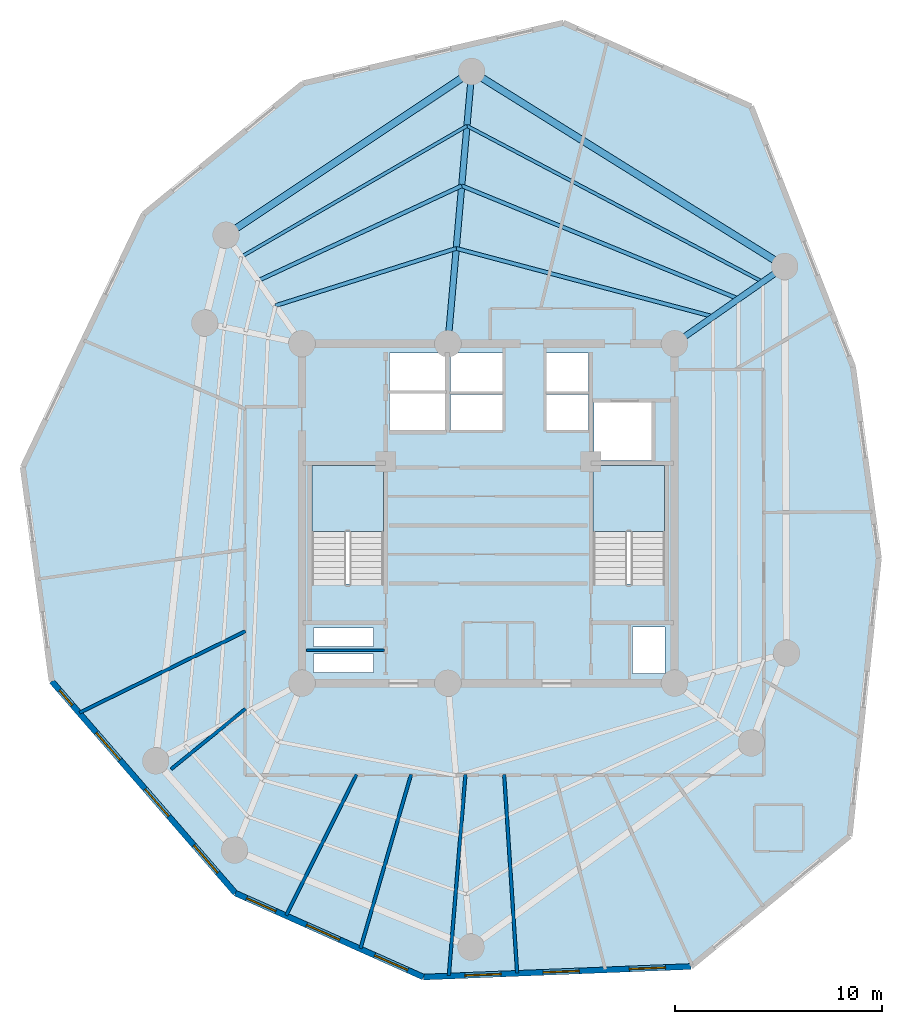
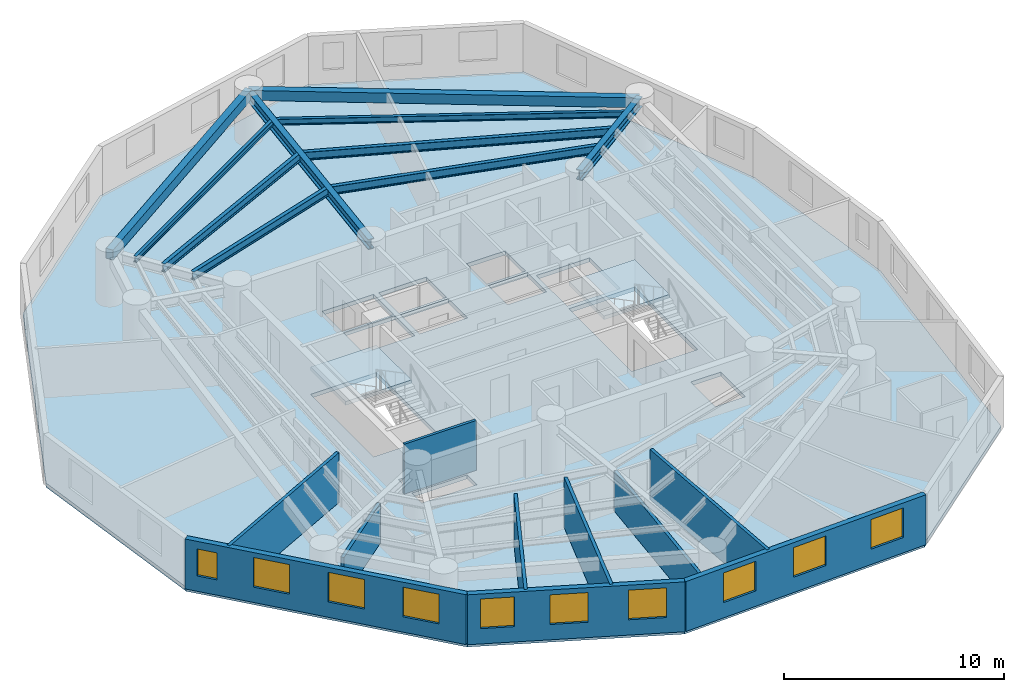
# One storey, part 2 of 7: 10 beams, 10 walls, 10 windows, 3 slabs, 10 openings, 2 elements without a shape of their own.
"""IFC4 building model written with IfcOpenShell, lengths in metres."""

from ifc_helpers import new_model, si_unit, direction, frame, frame_2d, origin, origin_with_axes, origin_2d, place, context, subcontext, project, spatial, polyline, rectangle, i_section, outline, extrude, source, transform, mapped, material, layer, layer_set, material_profile, profile_set, type_object, element, fill, aggregate, save


model = new_model("IFC4")

# Units and contexts
model_context = context("Model", 3, precision=1e-05, world=origin(), true_north=direction((0.0, 1.0)))
body_context = subcontext(model_context, "Body", "Model", "MODEL_VIEW")
ifc_project = project(units=[si_unit("LENGTHUNIT", "METRE"), si_unit("AREAUNIT", "SQUARE_METRE"), si_unit("VOLUMEUNIT", "CUBIC_METRE"), si_unit("PLANEANGLEUNIT", "RADIAN"), si_unit("MASSUNIT", "GRAM", prefix="KILO")], contexts=[model_context])

# Site, building, storey
site_placement = place(None, origin())
site = spatial("IfcSite", under=ifc_project, at=site_placement, CompositionType="ELEMENT")
building_placement = place(site_placement, origin())
building = spatial("IfcBuilding", under=site, at=building_placement, Name="Karkom Vertical University and Central Library", CompositionType="ELEMENT")
storey_placement = place(building_placement, frame((0.0, 0.0, 205.35009765625)))
storey = spatial("IfcBuildingStorey", under=building, at=storey_placement, Name="L60", CompositionType="ELEMENT", Elevation=205.35009765625)

# Beams
ifc_material_1 = material(Name="Precast concrete C45/55", Category="concrete")
ifc_material_profile_1 = material_profile(ifc_material_1, rectangle(XDim=0.35009765625, YDim=0.550048828125, at=origin_2d()), Name="SPB-350x550")
ifc_profile_set_1 = profile_set([ifc_material_profile_1], Name="Precast concrete C45/55")
beam_type_1 = type_object("IfcBeamType", Name="STR-BM-SP-2", PredefinedType="SPANDREL", material=ifc_profile_set_1)
shared_shape_1 = source(origin_with_axes(), body_context, "Body", "SweptSolid", [
    extrude(rectangle(XDim=0.35009765625, YDim=0.550048828125, at=origin_2d()), origin(), (0.0, 0.0, 1.0), 17.81884765625),
])
beam_1_placement = place(storey_placement, frame((42.823974609375, 38.427978515625, 2.5), z_axis=(-0.848764070164, 0.528771740167, 0.0), x_axis=(-0.528771740167, -0.848764070164, 0.0)))
element("IfcBeam", 1, at=beam_1_placement, inside=storey, type_object=beam_type_1, Name="Level 60 Perimeter Spandrel Beam 02", PredefinedType="SPANDREL", context=body_context, shape_type="MappedRepresentation", body=[
    mapped(shared_shape_1, transform((0.0, 0.0, 0.0), scale=1.0)),
])
shared_shape_2 = source(origin_with_axes(), body_context, "Body", "SweptSolid", [
    extrude(rectangle(XDim=0.35009765625, YDim=0.550048828125, at=origin_2d()), origin(), (0.0, 0.0, 1.0), 14.26318359375),
])
beam_2_placement = place(storey_placement, frame((27.699951171875, 47.85009765625, 2.5), z_axis=(-0.83227406272, -0.554364396876, 0.0), x_axis=(0.554364396876, -0.83227406272, 0.0)))
element("IfcBeam", 2, at=beam_2_placement, inside=storey, type_object=beam_type_1, Name="Level 60 Perimeter Spandrel Beam 03", PredefinedType="SPANDREL", context=body_context, shape_type="MappedRepresentation", body=[
    mapped(shared_shape_2, transform((0.0, 0.0, 0.0), scale=1.0)),
])
ifc_material_2 = material(Name="Steel S355", Category="steel")
ifc_material_profile_2 = material_profile(ifc_material_2, i_section(OverallWidth=0.18994140625, OverallDepth=0.449951171875, WebThickness=0.009521484375, FlangeThickness=0.0146484375, FilletRadius=0.02099609375, at=origin_2d()), Name="IPE 450")
ifc_profile_set_2 = profile_set([ifc_material_profile_2], Name="Steel S355")
beam_type_2 = type_object("IfcBeamType", Name="STR-BM-SB-IPE450", PredefinedType="BEAM", material=ifc_profile_set_2)
shared_shape_3 = source(origin_with_axes(), body_context, "Body", "SweptSolid", [
    extrude(i_section(OverallWidth=0.18994140625, OverallDepth=0.449951171875, WebThickness=0.009521484375, FlangeThickness=0.0146484375, FilletRadius=0.02099609375, at=origin_2d()), origin(), (0.0, 0.0, 1.0), 12.841552734375),
])
beam_3_placement = place(storey_placement, frame((39.36328125, 36.0048828125, 2.5498046875), z_axis=(-0.96646647674, 0.256792814032, 0.0), x_axis=(-0.256792814032, -0.96646647674, 0.0)))
element("IfcBeam", 3, at=beam_3_placement, inside=storey, type_object=beam_type_2, Name="Level 60 Secondary Composite Floor Beam 1.02", PredefinedType="BEAM", context=body_context, shape_type="MappedRepresentation", body=[
    mapped(shared_shape_3, transform((0.0, 0.0, 0.0), scale=1.0)),
])
shared_shape_4 = source(origin_with_axes(), body_context, "Body", "SweptSolid", [
    extrude(i_section(OverallWidth=0.18994140625, OverallDepth=0.449951171875, WebThickness=0.009521484375, FlangeThickness=0.0146484375, FilletRadius=0.02099609375, at=origin_2d()), origin(), (0.0, 0.0, 1.0), 9.1650390625),
])
beam_4_placement = place(storey_placement, frame((26.952392578125, 39.302490234375, 2.5498046875), z_axis=(-0.953318200449, -0.301967562319, 0.0), x_axis=(0.301967562319, -0.953318200449, 0.0)))
element("IfcBeam", 4, at=beam_4_placement, inside=storey, type_object=beam_type_2, Name="Level 60 Secondary Composite Floor Beam 1.03", PredefinedType="BEAM", context=body_context, shape_type="MappedRepresentation", body=[
    mapped(shared_shape_4, transform((0.0, 0.0, 0.0), scale=1.0)),
])
shared_shape_5 = source(origin_with_axes(), body_context, "Body", "SweptSolid", [
    extrude(i_section(OverallWidth=0.18994140625, OverallDepth=0.449951171875, WebThickness=0.009521484375, FlangeThickness=0.0146484375, FilletRadius=0.02099609375, at=origin_2d()), origin(), (0.0, 0.0, 1.0), 14.4443359375),
])
beam_5_placement = place(storey_placement, frame((40.587890625, 36.8623046875, 2.5498046875), z_axis=(-0.925675328736, 0.378318894281, 0.0), x_axis=(-0.378318894281, -0.925675328736, 0.0)))
element("IfcBeam", 5, at=beam_5_placement, inside=storey, type_object=beam_type_2, Name="Level 60 Secondary Composite Floor Beam 2.02", PredefinedType="BEAM", context=body_context, shape_type="MappedRepresentation", body=[
    mapped(shared_shape_5, transform((0.0, 0.0, 0.0), scale=1.0)),
])
shared_shape_6 = source(origin_with_axes(), body_context, "Body", "SweptSolid", [
    extrude(i_section(OverallWidth=0.18994140625, OverallDepth=0.449951171875, WebThickness=0.009521484375, FlangeThickness=0.0146484375, FilletRadius=0.02099609375, at=origin_2d()), origin(), (0.0, 0.0, 1.0), 10.86181640625),
])
beam_6_placement = place(storey_placement, frame((27.217041015625, 42.326904296875, 2.5498046875), z_axis=(-0.90649871419, -0.422208575436, 0.0), x_axis=(0.422208575436, -0.90649871419, 0.0)))
element("IfcBeam", 6, at=beam_6_placement, inside=storey, type_object=beam_type_2, Name="Level 60 Secondary Composite Floor Beam 2.03", PredefinedType="BEAM", context=body_context, shape_type="MappedRepresentation", body=[
    mapped(shared_shape_6, transform((0.0, 0.0, 0.0), scale=1.0)),
])
ifc_material_profile_3 = material_profile(ifc_material_2, i_section(OverallWidth=0.159912109375, OverallDepth=0.330078125, WebThickness=0.007568359375, FlangeThickness=0.011474609375, FilletRadius=0.01806640625, at=origin_2d()), Name="IPE 330")
ifc_profile_set_3 = profile_set([ifc_material_profile_3], Name="Steel S355")
beam_type_3 = type_object("IfcBeamType", Name="STR-BM-SB-IPE330", PredefinedType="BEAM", material=ifc_profile_set_3)
shared_shape_7 = source(origin_with_axes(), body_context, "Body", "SweptSolid", [
    extrude(i_section(OverallWidth=0.159912109375, OverallDepth=0.330078125, WebThickness=0.007568359375, FlangeThickness=0.011474609375, FilletRadius=0.01806640625, at=origin_2d()), origin(), (0.0, 0.0, 1.0), 16.155517578125),
])
beam_7_placement = place(storey_placement, frame((41.75927734375, 37.682373046875, 2.60986328125), z_axis=(-0.884486447848, 0.466565883423, 0.0), x_axis=(-0.466565883423, -0.884486447848, 0.0)))
element("IfcBeam", 7, at=beam_7_placement, inside=storey, type_object=beam_type_3, Name="Level 60 Secondary Composite Floor Beam 3.02", PredefinedType="BEAM", context=body_context, shape_type="MappedRepresentation", body=[
    mapped(shared_shape_7, transform((0.0, 0.0, 0.0), scale=1.0)),
])
shared_shape_8 = source(origin_with_axes(), body_context, "Body", "SweptSolid", [
    extrude(i_section(OverallWidth=0.159912109375, OverallDepth=0.330078125, WebThickness=0.007568359375, FlangeThickness=0.011474609375, FilletRadius=0.01806640625, at=origin_2d()), origin(), (0.0, 0.0, 1.0), 12.6083984375),
])
beam_8_placement = place(storey_placement, frame((27.469970703125, 45.219970703125, 2.60986328125), z_axis=(-0.865038920595, -0.50170475965, 0.0), x_axis=(0.50170475965, -0.865038920595, 0.0)))
element("IfcBeam", 8, at=beam_8_placement, inside=storey, type_object=beam_type_3, Name="Level 60 Secondary Composite Floor Beam 3.03", PredefinedType="BEAM", context=body_context, shape_type="MappedRepresentation", body=[
    mapped(shared_shape_8, transform((0.0, 0.0, 0.0), scale=1.0)),
])
ifc_material_profile_4 = material_profile(ifc_material_2, i_section(OverallWidth=0.300048828125, OverallDepth=0.550048828125, WebThickness=0.014892578125, FlangeThickness=0.029052734375, FilletRadius=0.027099609375, at=origin_2d()), Name="HE 550 B")
ifc_profile_set_4 = profile_set([ifc_material_profile_4], Name="Steel S355")
beam_type_4 = type_object("IfcBeamType", Name="STR-BM-SB-HE550", PredefinedType="USERDEFINED", material=ifc_profile_set_4)
shared_shape_9 = source(origin_with_axes(), body_context, "Body", "SweptSolid", [
    extrude(i_section(OverallWidth=0.300048828125, OverallDepth=0.550048828125, WebThickness=0.014892578125, FlangeThickness=0.029052734375, FilletRadius=0.027099609375, at=origin_2d()), origin(), (0.0, 0.0, 1.0), 6.49951171875),
])
beam_9_placement = place(storey_placement, frame((37.5, 34.699951171875, 2.5), z_axis=(0.819141909878, 0.573590909517, 0.0), x_axis=(-0.573590909517, 0.819141909878, 0.0)))
element("IfcBeam", 9, at=beam_9_placement, inside=storey, type_object=beam_type_4, Name="Level 60 Radial Frame Girder 02", ObjectType="GIRDER", PredefinedType="USERDEFINED", context=body_context, shape_type="MappedRepresentation", body=[
    mapped(shared_shape_9, transform((0.0, 0.0, 0.0), scale=1.0)),
])
shared_shape_10 = source(origin_with_axes(), body_context, "Body", "SweptSolid", [
    extrude(i_section(OverallWidth=0.300048828125, OverallDepth=0.550048828125, WebThickness=0.014892578125, FlangeThickness=0.029052734375, FilletRadius=0.027099609375, at=origin_2d()), origin(), (0.0, 0.0, 1.0), 13.200439453125),
])
beam_10_placement = place(storey_placement, frame((26.550048828125, 34.699951171875, 2.5), z_axis=(0.087111657164, 0.996198554098, 0.0), x_axis=(-0.996198554098, 0.087111657164, 0.0)))
element("IfcBeam", 10, at=beam_10_placement, inside=storey, type_object=beam_type_4, Name="Level 60 Radial Frame Girder 03", ObjectType="GIRDER", PredefinedType="USERDEFINED", context=body_context, shape_type="MappedRepresentation", body=[
    mapped(shared_shape_10, transform((0.0, 0.0, 0.0), scale=1.0)),
])

# Stair, slab
ifc_material_3 = material(Name="Concrete C45/55", Category="concrete")
stair_type = type_object("IfcStairType", Name="INT-STR-ST-MAIN", PredefinedType="HALF_TURN_STAIR", material=ifc_material_3)
stair_1_placement = place(storey_placement, origin())
stair_1 = element("IfcStair", 11, at=stair_1_placement, inside=storey, type_object=stair_type, Name="Level 60 Tower Protected Exit Stair ST-1", PredefinedType="HALF_TURN_STAIR")
ifc_layer_1 = layer(ifc_material_3, 0.199951171875)
ifc_layer_set_1 = layer_set([ifc_layer_1], Name="Concrete C45/55")
slab_type_1 = type_object("IfcSlabType", Name="INT-SLB-LANDING", PredefinedType="LANDING", material=ifc_layer_set_1)
slab_1_placement = place(storey_placement, frame((0.0, 0.0, 1.324951171875)))
slab_1 = element("IfcSlab", 12, at=slab_1_placement, type_object=slab_type_1, Name="ST-1 landing 1", PredefinedType="LANDING", context=body_context, shape_type="SweptSolid", body=[
    extrude(outline(polyline([(23.43994140625, 25.6298828125), (23.43994140625, 28.820068359375), (19.97998046875, 28.820068359375), (19.97998046875, 25.6298828125), (23.43994140625, 25.6298828125)])), origin(), (0.0, 0.0, 1.0), 0.199951171875),
])
aggregate(stair_1, [slab_1])

stair_2_placement = place(storey_placement, origin())
stair_2 = element("IfcStair", 13, at=stair_2_placement, inside=storey, type_object=stair_type, Name="Level 60 Tower Protected Exit Stair ST-2", PredefinedType="HALF_TURN_STAIR")
slab_2_placement = place(storey_placement, frame((0.0, 0.0, 1.324951171875)))
slab_2 = element("IfcSlab", 14, at=slab_2_placement, type_object=slab_type_1, Name="ST-2 landing 1", PredefinedType="LANDING", context=body_context, shape_type="SweptSolid", body=[
    extrude(outline(polyline([(37.02001953125, 25.6298828125), (37.02001953125, 28.820068359375), (33.56005859375, 28.820068359375), (33.56005859375, 25.6298828125), (37.02001953125, 25.6298828125)])), origin(), (0.0, 0.0, 1.0), 0.199951171875),
])
aggregate(stair_2, [slab_2])

# Slab
ifc_layer_2 = layer(ifc_material_3, 0.22509765625)
ifc_layer_set_2 = layer_set([ifc_layer_2], Name="Concrete C45/55")
slab_type_2 = type_object("IfcSlabType", Name="STR-SLB-FLR-225", PredefinedType="FLOOR", material=ifc_layer_set_2)
slab_3_placement = place(storey_placement, frame((0.0, 0.0, -0.22509765625)))
element("IfcSlab", 15, at=slab_3_placement, inside=storey, type_object=slab_type_2, Name="Level 60 Tower Structural Floor Slab", PredefinedType="FLOOR", context=body_context, shape_type="SweptSolid", body=[
    extrude(outline(polyline([(6.017578125, 28.7353515625), (7.41259765625, 18.389404296875), (16.28271484375, 8.154052734375), (25.364990234375, 4.100341796875), (38.28369140625, 4.6103515625), (45.951171875, 10.91162109375), (47.36376953125, 24.34130859375), (46.1181640625, 33.578369140625), (41.19873046875, 46.154296875), (32.135986328125, 50.19921875), (19.543701171875, 47.26904296875), (11.859619140625, 40.95458984375), (6.017578125, 28.7353515625)]), holes=[polyline([(19.97998046875, 23.0849609375), (23.43994140625, 23.0849609375), (23.43994140625, 28.820068359375), (19.97998046875, 28.820068359375), (19.97998046875, 23.0849609375)]), polyline([(33.56005859375, 23.0849609375), (37.02001953125, 23.0849609375), (37.02001953125, 28.820068359375), (33.56005859375, 28.820068359375), (33.56005859375, 23.0849609375)]), polyline([(26.679931640625, 30.5), (29.199951171875, 30.5), (29.199951171875, 32.25), (26.679931640625, 32.25), (26.679931640625, 30.5)]), polyline([(26.679931640625, 32.39990234375), (29.199951171875, 32.39990234375), (29.199951171875, 34.25), (26.679931640625, 34.25), (26.679931640625, 32.39990234375)]), polyline([(31.300048828125, 30.5), (33.35009765625, 30.5), (33.35009765625, 32.25), (31.300048828125, 32.25), (31.300048828125, 30.5)]), polyline([(31.300048828125, 32.39990234375), (33.35009765625, 32.39990234375), (33.35009765625, 34.25), (31.300048828125, 34.25), (31.300048828125, 32.39990234375)]), polyline([(23.719970703125, 30.47998046875), (26.429931640625, 30.47998046875), (26.429931640625, 32.320068359375), (23.719970703125, 32.320068359375), (23.719970703125, 30.47998046875)]), polyline([(23.719970703125, 32.419921875), (26.429931640625, 32.419921875), (26.429931640625, 34.260009765625), (23.719970703125, 34.260009765625), (23.719970703125, 32.419921875)]), polyline([(33.60009765625, 29.050048828125), (36.39990234375, 29.050048828125), (36.39990234375, 31.85009765625), (33.60009765625, 31.85009765625), (33.60009765625, 29.050048828125)]), polyline([(20.050048828125, 18.820068359375), (22.949951171875, 18.820068359375), (22.949951171875, 19.719970703125), (20.050048828125, 19.719970703125), (20.050048828125, 18.820068359375)]), polyline([(20.050048828125, 20.06005859375), (22.949951171875, 20.06005859375), (22.949951171875, 20.9599609375), (20.050048828125, 20.9599609375), (20.050048828125, 20.06005859375)]), polyline([(35.4599609375, 18.760009765625), (37.0400390625, 18.760009765625), (37.0400390625, 21.010009765625), (35.4599609375, 21.010009765625), (35.4599609375, 18.760009765625)])]), origin(), (0.0, 0.0, 1.0), 0.22509765625),
])

# Wall, openings, windows
ifc_material_4 = material(Name="Brick-faced precast concrete C45/55", Category="masonry")
ifc_layer_3 = layer(ifc_material_4, 0.280029296875)
ifc_layer_set_3 = layer_set([ifc_layer_3], Name="Brick-faced precast concrete C45/55")
wall_type_1 = type_object("IfcWallType", Name="ENV-WL-BRK-280", PredefinedType="SOLIDWALL", material=ifc_layer_set_3)
wall_1_placement = place(storey_placement, frame((7.41259765625, 18.389404296875, 0.0), z_axis=(0.0, 0.0, 1.0), x_axis=(0.654908577936, -0.755708114648, 0.0)))
wall_1 = element("IfcWall", 16, at=wall_1_placement, inside=storey, type_object=wall_type_1, Name="Level 60 Brick-Faced Precast Facade Wall 02", PredefinedType="SOLIDWALL", context=body_context, shape_type="SweptSolid", body=[
    extrude(rectangle(XDim=13.5439453125, YDim=0.280029296875, at=frame_2d((6.77197265625, 0.0))), origin(), (0.0, 0.0, 1.0), 2.77490234375),
])
opening_1_placement = place(wall_1_placement, frame((0.572998046875, 0.0, 0.85009765625)))
opening_1 = element("IfcOpeningElement", 17, at=opening_1_placement, cuts=wall_1, Name="Opening WN-12", PredefinedType="OPENING", context=body_context, shape_type="SweptSolid", body=[
    extrude(rectangle(XDim=0.949951171875, YDim=1.5, at=frame_2d((0.47509765625, 0.75))), frame((0.0, 0.14990234375, 0.0), z_axis=(0.0, -1.0, 0.0), x_axis=(1.0, 0.0, 0.0)), (0.0, 0.0, 1.0), 0.300048828125),
])
opening_2_placement = place(wall_1_placement, frame((3.2822265625, 0.0, 0.85009765625)))
opening_2 = element("IfcOpeningElement", 18, at=opening_2_placement, cuts=wall_1, Name="Opening WN-08", PredefinedType="OPENING", context=body_context, shape_type="SweptSolid", body=[
    extrude(rectangle(XDim=1.75, YDim=1.64990234375, at=frame_2d((0.875, 0.824951171875))), frame((0.0, 0.14990234375, 0.0), z_axis=(0.0, -1.0, 0.0), x_axis=(1.0, 0.0, 0.0)), (0.0, 0.0, 1.0), 0.300048828125),
])
opening_3_placement = place(wall_1_placement, frame((6.885009765625, 0.0, 0.85009765625)))
opening_3 = element("IfcOpeningElement", 19, at=opening_3_placement, cuts=wall_1, Name="Opening WN-08", PredefinedType="OPENING", context=body_context, shape_type="SweptSolid", body=[
    extrude(rectangle(XDim=1.75, YDim=1.64990234375, at=frame_2d((0.875, 0.824951171875))), frame((0.0, 0.14990234375, 0.0), z_axis=(0.0, -1.0, 0.0), x_axis=(1.0, 0.0, 0.0)), (0.0, 0.0, 1.0), 0.300048828125),
])
opening_4_placement = place(wall_1_placement, frame((10.487548828125, 0.0, 0.85009765625)))
opening_4 = element("IfcOpeningElement", 20, at=opening_4_placement, cuts=wall_1, Name="Opening WN-08", PredefinedType="OPENING", context=body_context, shape_type="SweptSolid", body=[
    extrude(rectangle(XDim=1.75, YDim=1.64990234375, at=frame_2d((0.875, 0.824951171875))), frame((0.0, 0.14990234375, 0.0), z_axis=(0.0, -1.0, 0.0), x_axis=(1.0, 0.0, 0.0)), (0.0, 0.0, 1.0), 0.300048828125),
])
ifc_material_5 = material(Name="Aluminium thermal-break frame with solar-control IGU", Category="aluminium")
window_type_1 = type_object("IfcWindowType", Name="ENV-WIN-WN-12", PartitioningType="SINGLE_PANEL", PredefinedType="WINDOW", material=ifc_material_5)
shared_shape_11 = source(origin_with_axes(), body_context, "Body", "SweptSolid", [
    extrude(rectangle(XDim=0.949951171875, YDim=1.5, at=frame_2d((0.47509765625, 0.75))), frame((0.0, 0.030029296875, 0.0), z_axis=(0.0, -1.0, 0.0), x_axis=(1.0, 0.0, 0.0)), (0.0, 0.0, 1.0), 0.06005859375),
])
window_1_placement = place(opening_1_placement, origin())
window_1 = element("IfcWindow", 21, at=window_1_placement, inside=storey, type_object=window_type_1, Name="Level 60 Punched Window 2.1", OverallHeight=1.5, OverallWidth=0.949951171875, PartitioningType="SINGLE_PANEL", PredefinedType="WINDOW", context=body_context, shape_type="MappedRepresentation", body=[
    mapped(shared_shape_11, transform((0.0, 0.0, 0.0), scale=1.0)),
])
fill(opening_1, window_1)
window_type_2 = type_object("IfcWindowType", Name="ENV-WIN-WN-08", PartitioningType="SINGLE_PANEL", PredefinedType="WINDOW", material=ifc_material_5)
shared_shape_12 = source(origin_with_axes(), body_context, "Body", "SweptSolid", [
    extrude(rectangle(XDim=1.75, YDim=1.64990234375, at=frame_2d((0.875, 0.824951171875))), frame((0.0, 0.030029296875, 0.0), z_axis=(0.0, -1.0, 0.0), x_axis=(1.0, 0.0, 0.0)), (0.0, 0.0, 1.0), 0.06005859375),
])
window_2_placement = place(opening_2_placement, origin())
window_2 = element("IfcWindow", 22, at=window_2_placement, inside=storey, type_object=window_type_2, Name="Level 60 Punched Window 2.2", OverallHeight=1.64990234375, OverallWidth=1.75, PartitioningType="SINGLE_PANEL", PredefinedType="WINDOW", context=body_context, shape_type="MappedRepresentation", body=[
    mapped(shared_shape_12, transform((0.0, 0.0, 0.0), scale=1.0)),
])
fill(opening_2, window_2)
window_3_placement = place(opening_3_placement, origin())
window_3 = element("IfcWindow", 23, at=window_3_placement, inside=storey, type_object=window_type_2, Name="Level 60 Punched Window 2.3", OverallHeight=1.64990234375, OverallWidth=1.75, PartitioningType="SINGLE_PANEL", PredefinedType="WINDOW", context=body_context, shape_type="MappedRepresentation", body=[
    mapped(shared_shape_12, transform((0.0, 0.0, 0.0), scale=1.0)),
])
fill(opening_3, window_3)
window_4_placement = place(opening_4_placement, origin())
window_4 = element("IfcWindow", 24, at=window_4_placement, inside=storey, type_object=window_type_2, Name="Level 60 Punched Window 2.4", OverallHeight=1.64990234375, OverallWidth=1.75, PartitioningType="SINGLE_PANEL", PredefinedType="WINDOW", context=body_context, shape_type="MappedRepresentation", body=[
    mapped(shared_shape_12, transform((0.0, 0.0, 0.0), scale=1.0)),
])
fill(opening_4, window_4)

wall_2_placement = place(storey_placement, frame((16.28271484375, 8.154052734375, 0.0), z_axis=(0.0, 0.0, 1.0), x_axis=(0.913170676177, -0.407577374459, 0.0)))
wall_2 = element("IfcWall", 25, at=wall_2_placement, inside=storey, type_object=wall_type_1, Name="Level 60 Brick-Faced Precast Facade Wall 03", PredefinedType="SOLIDWALL", context=body_context, shape_type="SweptSolid", body=[
    extrude(rectangle(XDim=9.94580078125, YDim=0.280029296875, at=frame_2d((4.972900390625, 0.0))), origin(), (0.0, 0.0, 1.0), 2.77490234375),
])
opening_5_placement = place(wall_2_placement, frame((0.594482421875, 0.0, 0.85009765625)))
opening_5 = element("IfcOpeningElement", 26, at=opening_5_placement, cuts=wall_2, Name="Opening WN-09", PredefinedType="OPENING", context=body_context, shape_type="SweptSolid", body=[
    extrude(rectangle(XDim=1.550048828125, YDim=1.64990234375, at=frame_2d((0.77490234375, 0.824951171875))), frame((0.0, 0.14990234375, 0.0), z_axis=(0.0, -1.0, 0.0), x_axis=(1.0, 0.0, 0.0)), (0.0, 0.0, 1.0), 0.300048828125),
])
opening_6_placement = place(wall_2_placement, frame((3.765625, 0.0, 0.85009765625)))
opening_6 = element("IfcOpeningElement", 27, at=opening_6_placement, cuts=wall_2, Name="Opening WN-08", PredefinedType="OPENING", context=body_context, shape_type="SweptSolid", body=[
    extrude(rectangle(XDim=1.75, YDim=1.64990234375, at=frame_2d((0.875, 0.824951171875))), frame((0.0, 0.14990234375, 0.0), z_axis=(0.0, -1.0, 0.0), x_axis=(1.0, 0.0, 0.0)), (0.0, 0.0, 1.0), 0.300048828125),
])
opening_7_placement = place(wall_2_placement, frame((7.368896484375, 0.0, 0.85009765625)))
opening_7 = element("IfcOpeningElement", 28, at=opening_7_placement, cuts=wall_2, Name="Opening WN-08", PredefinedType="OPENING", context=body_context, shape_type="SweptSolid", body=[
    extrude(rectangle(XDim=1.75, YDim=1.64990234375, at=frame_2d((0.875, 0.824951171875))), frame((0.0, 0.14990234375, 0.0), z_axis=(0.0, -1.0, 0.0), x_axis=(1.0, 0.0, 0.0)), (0.0, 0.0, 1.0), 0.300048828125),
])
window_5_placement = place(opening_6_placement, origin())
window_5 = element("IfcWindow", 29, at=window_5_placement, inside=storey, type_object=window_type_2, Name="Level 60 Punched Window 3.2", OverallHeight=1.64990234375, OverallWidth=1.75, PartitioningType="SINGLE_PANEL", PredefinedType="WINDOW", context=body_context, shape_type="MappedRepresentation", body=[
    mapped(shared_shape_12, transform((0.0, 0.0, 0.0), scale=1.0)),
])
fill(opening_6, window_5)
window_6_placement = place(opening_7_placement, origin())
window_6 = element("IfcWindow", 30, at=window_6_placement, inside=storey, type_object=window_type_2, Name="Level 60 Punched Window 3.3", OverallHeight=1.64990234375, OverallWidth=1.75, PartitioningType="SINGLE_PANEL", PredefinedType="WINDOW", context=body_context, shape_type="MappedRepresentation", body=[
    mapped(shared_shape_12, transform((0.0, 0.0, 0.0), scale=1.0)),
])
fill(opening_7, window_6)
window_type_3 = type_object("IfcWindowType", Name="ENV-WIN-WN-09", PartitioningType="SINGLE_PANEL", PredefinedType="WINDOW", material=ifc_material_5)
shared_shape_13 = source(origin_with_axes(), body_context, "Body", "SweptSolid", [
    extrude(rectangle(XDim=1.550048828125, YDim=1.64990234375, at=frame_2d((0.77490234375, 0.824951171875))), frame((0.0, 0.030029296875, 0.0), z_axis=(0.0, -1.0, 0.0), x_axis=(1.0, 0.0, 0.0)), (0.0, 0.0, 1.0), 0.06005859375),
])
window_7_placement = place(opening_5_placement, origin())
window_7 = element("IfcWindow", 31, at=window_7_placement, inside=storey, type_object=window_type_3, Name="Level 60 Punched Window 3.1", OverallHeight=1.64990234375, OverallWidth=1.550048828125, PartitioningType="SINGLE_PANEL", PredefinedType="WINDOW", context=body_context, shape_type="MappedRepresentation", body=[
    mapped(shared_shape_13, transform((0.0, 0.0, 0.0), scale=1.0)),
])
fill(opening_5, window_7)

wall_3_placement = place(storey_placement, frame((25.364990234375, 4.100341796875, 0.0), z_axis=(0.0, 0.0, 1.0), x_axis=(0.999221637337, 0.039447680249, 0.0)))
wall_3 = element("IfcWall", 32, at=wall_3_placement, inside=storey, type_object=wall_type_1, Name="Level 60 Brick-Faced Precast Facade Wall 04", PredefinedType="SOLIDWALL", context=body_context, shape_type="SweptSolid", body=[
    extrude(rectangle(XDim=12.9287109375, YDim=0.280029296875, at=frame_2d((6.46435546875, 0.0))), origin(), (0.0, 0.0, 1.0), 2.77490234375),
])
opening_8_placement = place(wall_3_placement, frame((2.00927734375, 0.0, 0.85009765625)))
opening_8 = element("IfcOpeningElement", 33, at=opening_8_placement, cuts=wall_3, Name="Opening WN-08", PredefinedType="OPENING", context=body_context, shape_type="SweptSolid", body=[
    extrude(rectangle(XDim=1.75, YDim=1.64990234375, at=frame_2d((0.875, 0.824951171875))), frame((0.0, 0.14990234375, 0.0), z_axis=(0.0, -1.0, 0.0), x_axis=(1.0, 0.0, 0.0)), (0.0, 0.0, 1.0), 0.300048828125),
])
opening_9_placement = place(wall_3_placement, frame((5.787353515625, 0.0, 0.85009765625)))
opening_9 = element("IfcOpeningElement", 34, at=opening_9_placement, cuts=wall_3, Name="Opening WN-08", PredefinedType="OPENING", context=body_context, shape_type="SweptSolid", body=[
    extrude(rectangle(XDim=1.75, YDim=1.64990234375, at=frame_2d((0.875, 0.824951171875))), frame((0.0, 0.14990234375, 0.0), z_axis=(0.0, -1.0, 0.0), x_axis=(1.0, 0.0, 0.0)), (0.0, 0.0, 1.0), 0.300048828125),
])
opening_10_placement = place(wall_3_placement, frame((9.955078125, 0.0, 0.85009765625)))
opening_10 = element("IfcOpeningElement", 35, at=opening_10_placement, cuts=wall_3, Name="Opening WN-08", PredefinedType="OPENING", context=body_context, shape_type="SweptSolid", body=[
    extrude(rectangle(XDim=1.75, YDim=1.64990234375, at=frame_2d((0.875, 0.824951171875))), frame((0.0, 0.14990234375, 0.0), z_axis=(0.0, -1.0, 0.0), x_axis=(1.0, 0.0, 0.0)), (0.0, 0.0, 1.0), 0.300048828125),
])
window_8_placement = place(opening_8_placement, origin())
window_8 = element("IfcWindow", 36, at=window_8_placement, inside=storey, type_object=window_type_2, Name="Level 60 Punched Window 4.1", OverallHeight=1.64990234375, OverallWidth=1.75, PartitioningType="SINGLE_PANEL", PredefinedType="WINDOW", context=body_context, shape_type="MappedRepresentation", body=[
    mapped(shared_shape_12, transform((0.0, 0.0, 0.0), scale=1.0)),
])
fill(opening_8, window_8)
window_9_placement = place(opening_9_placement, origin())
window_9 = element("IfcWindow", 37, at=window_9_placement, inside=storey, type_object=window_type_2, Name="Level 60 Punched Window 4.2", OverallHeight=1.64990234375, OverallWidth=1.75, PartitioningType="SINGLE_PANEL", PredefinedType="WINDOW", context=body_context, shape_type="MappedRepresentation", body=[
    mapped(shared_shape_12, transform((0.0, 0.0, 0.0), scale=1.0)),
])
fill(opening_9, window_9)
window_10_placement = place(opening_10_placement, origin())
window_10 = element("IfcWindow", 38, at=window_10_placement, inside=storey, type_object=window_type_2, Name="Level 60 Punched Window 4.3", OverallHeight=1.64990234375, OverallWidth=1.75, PartitioningType="SINGLE_PANEL", PredefinedType="WINDOW", context=body_context, shape_type="MappedRepresentation", body=[
    mapped(shared_shape_12, transform((0.0, 0.0, 0.0), scale=1.0)),
])
fill(opening_10, window_10)

# Walls
ifc_material_6 = material(Name="Insulated metal-stud drywall 160mm", Category="gypsum")
ifc_layer_4 = layer(ifc_material_6, 0.159912109375)
ifc_layer_set_4 = layer_set([ifc_layer_4], Name="Insulated metal-stud drywall 160mm")
wall_type_2 = type_object("IfcWallType", Name="INT-WL-COR-160", PredefinedType="PARTITIONING", material=ifc_layer_set_4)
wall_4_placement = place(storey_placement, frame((27.397705078125, 13.894775390625, 0.0), z_axis=(0.0, 0.0, 1.0), x_axis=(-0.082401222831, -0.996599236642, 0.0)))
element("IfcWall", 39, at=wall_4_placement, inside=storey, type_object=wall_type_2, Name="Level 60 Interior Partition Wall L60-PW-006", PredefinedType="PARTITIONING", context=body_context, shape_type="SweptSolid", body=[
    extrude(rectangle(XDim=9.753662109375, YDim=0.159912109375, at=frame_2d((4.876953125, 0.0))), origin(), (0.0, 0.0, 1.0), 2.224853515625),
])
wall_5_placement = place(storey_placement, frame((29.26708984375, 13.8798828125, 0.0), z_axis=(0.0, 0.0, 1.0), x_axis=(0.065384238802, -0.997860161203, 0.0)))
element("IfcWall", 40, at=wall_5_placement, inside=storey, type_object=wall_type_2, Name="Level 60 Interior Partition Wall L60-PW-007", PredefinedType="PARTITIONING", context=body_context, shape_type="SweptSolid", body=[
    extrude(rectangle(XDim=9.59619140625, YDim=0.159912109375, at=frame_2d((4.798095703125, 0.0))), origin(), (0.0, 0.0, 1.0), 2.77490234375),
])
wall_6_placement = place(storey_placement, frame((16.77685546875, 20.81103515625, 0.0), z_axis=(0.0, 0.0, 1.0), x_axis=(-0.897640670671, -0.440728063955, 0.0)))
element("IfcWall", 41, at=wall_6_placement, inside=storey, type_object=wall_type_2, Name="Level 60 Interior Partition Wall L60-PW-001", PredefinedType="PARTITIONING", context=body_context, shape_type="SweptSolid", body=[
    extrude(rectangle(XDim=8.93017578125, YDim=0.159912109375, at=frame_2d((4.465087890625, 0.0))), origin(), (0.0, 0.0, 1.0), 2.77490234375),
])
wall_7_placement = place(storey_placement, frame((24.771484375, 13.893310546875, 0.0), z_axis=(0.0, 0.0, 1.0), x_axis=(-0.2792141032, -0.960228870934, 0.0)))
element("IfcWall", 42, at=wall_7_placement, inside=storey, type_object=wall_type_2, Name="Level 60 Interior Partition Wall L60-PW-005", PredefinedType="PARTITIONING", context=body_context, shape_type="SweptSolid", body=[
    extrude(rectangle(XDim=8.757080078125, YDim=0.159912109375, at=frame_2d((4.37841796875, 0.0))), origin(), (0.0, 0.0, 1.0), 2.77490234375),
])
wall_8_placement = place(storey_placement, frame((22.13623046875, 13.89013671875, 0.0), z_axis=(0.0, 0.0, 1.0), x_axis=(-0.446751312841, -0.894658183037, 0.0)))
element("IfcWall", 43, at=wall_8_placement, inside=storey, type_object=wall_type_2, Name="Level 60 Interior Partition Wall L60-PW-004", PredefinedType="PARTITIONING", context=body_context, shape_type="SweptSolid", body=[
    extrude(rectangle(XDim=7.60595703125, YDim=0.159912109375, at=frame_2d((3.802978515625, 0.0))), origin(), (0.0, 0.0, 1.0), 2.77490234375),
])
wall_9_placement = place(storey_placement, frame((16.773193359375, 17.0615234375, 0.0), z_axis=(0.0, 0.0, 1.0), x_axis=(-0.776484627318, -0.630136194437, 0.0)))
element("IfcWall", 44, at=wall_9_placement, inside=storey, type_object=wall_type_2, Name="Level 60 Interior Partition Wall L60-PW-003", PredefinedType="PARTITIONING", context=body_context, shape_type="SweptSolid", body=[
    extrude(rectangle(XDim=4.632568359375, YDim=0.159912109375, at=frame_2d((2.31640625, 0.0))), origin(), (0.0, 0.0, 1.0), 2.224853515625),
])
ifc_material_7 = material(Name="Metal-stud gypsum partition 140mm", Category="gypsum")
ifc_layer_5 = layer(ifc_material_7, 0.139892578125)
ifc_layer_set_5 = layer_set([ifc_layer_5], Name="Metal-stud gypsum partition 140mm")
wall_type_3 = type_object("IfcWallType", Name="INT-WL-SUB-140H", PredefinedType="PARTITIONING", material=ifc_layer_set_5)
wall_10_placement = place(storey_placement, frame((19.70703125, 19.889892578125, 0.0), z_axis=(0.0, 0.0, 1.0), x_axis=(1.0, 0.0, 0.0)))
element("IfcWall", 45, at=wall_10_placement, inside=storey, type_object=wall_type_3, Name="Level 60 Interior Partition Wall L60-CW-RIS-W", PredefinedType="PARTITIONING", context=body_context, shape_type="SweptSolid", body=[
    extrude(rectangle(XDim=3.789794921875, YDim=0.139892578125, at=frame_2d((1.89501953125, 0.0))), origin(), (0.0, 0.0, 1.0), 2.77490234375),
])

save(model, "model.ifc")
